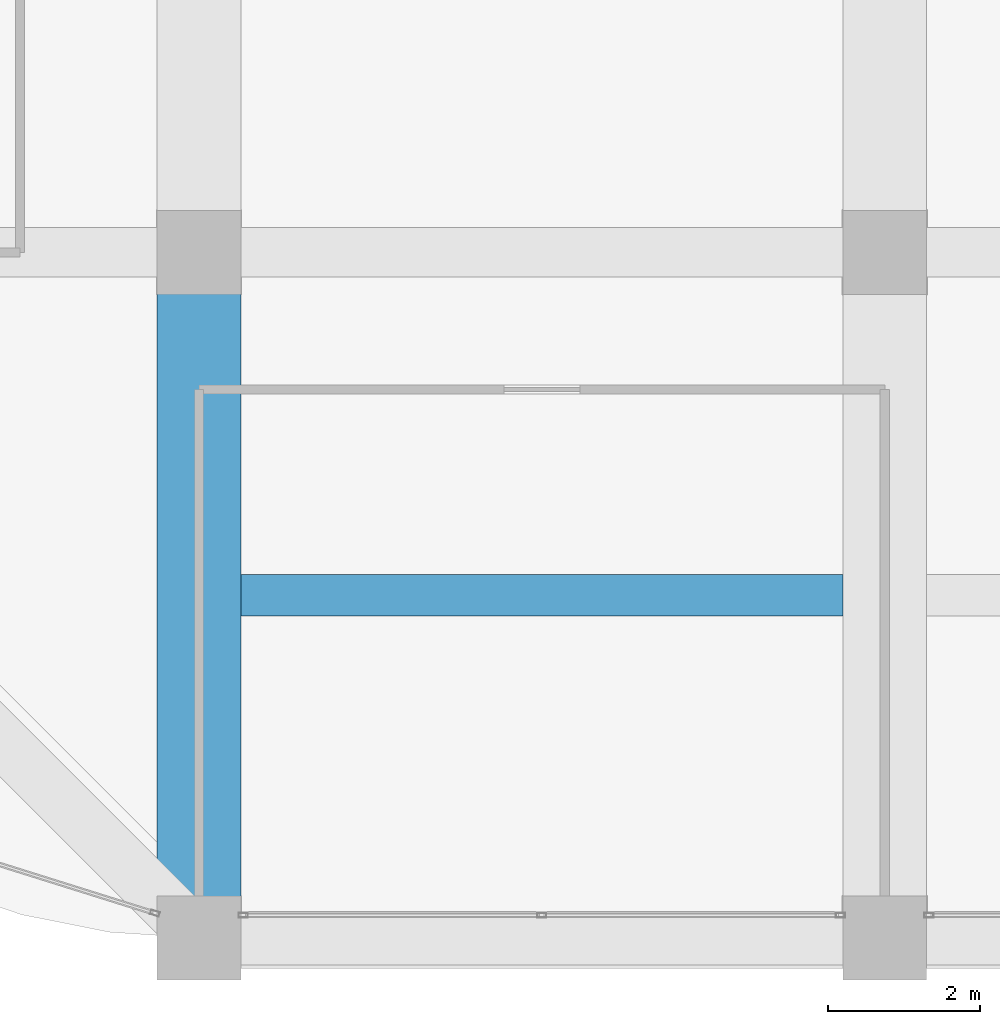
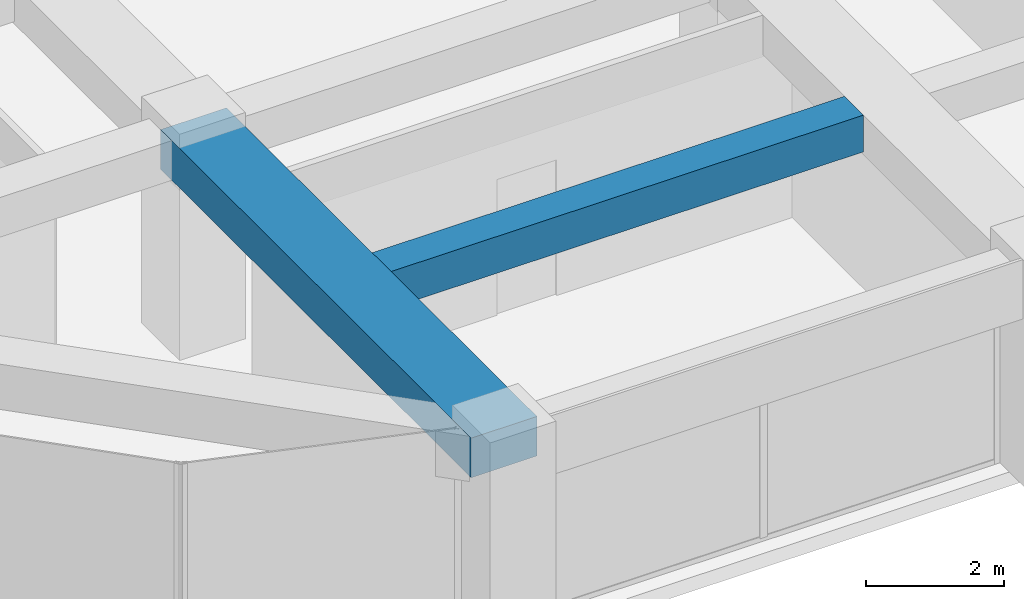
# One storey, part 5 of 44: 2 beams.
"""IFC4 building model written with IfcOpenShell, lengths in metres."""

import ifcopenshell
import ifcopenshell.guid

model = None  # the IFC model being written
_history = None  # IfcOwnerHistory: only IFC2X3 demands one
_inside = {}  # id of a spatial element -> (the spatial element, [elements in it])
_under = {}  # id of a project, library or spatial element -> (it, [spatial elements below it])
_declared = {}  # id of a project -> (the project, [libraries it declares])
_typed = {}  # id of a type object -> (the type object, [elements of that type])
_made_of = {}  # id of a material, layer set ... -> (it, [elements and type objects made of it])


def new_model(schema):
    """Start an empty IFC model of exactly this schema.

    Asked for "IFC4X3", IfcOpenShell would pick the latest addendum, in which some entities
    have other attributes; the version numbers below select the first issue.
    IFC2X3 requires an IfcOwnerHistory on every rooted entity: one is made here for all.
    """
    global model, _history
    if schema == "IFC4X3":
        model = ifcopenshell.file(schema_version=(4, 3, 0, 0))
    else:
        model = ifcopenshell.file(schema=schema)
    _inside.clear()
    _under.clear()
    _declared.clear()
    _typed.clear()
    _made_of.clear()
    _history = None
    if model.schema == "IFC2X3":
        org = make("IfcOrganization", Name="unknown")
        user = make(
            "IfcPersonAndOrganization",
            ThePerson=make("IfcPerson", FamilyName="unknown"),
            TheOrganization=org,
        )
        app = make(
            "IfcApplication",
            ApplicationDeveloper=org,
            Version="unknown",
            ApplicationFullName="unknown",
            ApplicationIdentifier="unknown",
        )
        _history = make(
            "IfcOwnerHistory",
            OwningUser=user,
            OwningApplication=app,
            ChangeAction="ADDED",
            CreationDate=0,
        )
    return model


def make(cls, **values):
    """One entity of the class cls with the attributes given. An attribute that is None is left unset."""
    return model.create_entity(
        cls, **{name: value for name, value in values.items() if value is not None}
    )


def rooted(cls, **values):
    """An entity with a GlobalId (a new one), such as an element, a storey or a relation."""
    return make(cls, GlobalId=ifcopenshell.guid.new(), OwnerHistory=_history, **values)


def si_unit(unit_type, name, prefix=None):
    """IfcSIUnit, for example si_unit("LENGTHUNIT", "METRE", prefix="MILLI")."""
    return make("IfcSIUnit", UnitType=unit_type, Prefix=prefix, Name=name)


def assignment(units):
    """IfcUnitAssignment: the units of a project."""
    return None if units is None else make("IfcUnitAssignment", Units=units)


def point(xyz):
    """IfcCartesianPoint."""
    return None if xyz is None else make("IfcCartesianPoint", Coordinates=xyz)


def direction(xyz):
    """IfcDirection."""
    return None if xyz is None else make("IfcDirection", DirectionRatios=xyz)


def frame(location, z_axis=None, x_axis=None):
    """IfcAxis2Placement3D, a coordinate frame: its origin and axes. An axis left out is left unset."""
    return make(
        "IfcAxis2Placement3D",
        Location=point(location),
        Axis=direction(z_axis),
        RefDirection=direction(x_axis),
    )


def frame_2d(location, x_axis=None):
    """IfcAxis2Placement2D, a coordinate frame in the plane: its origin and x axis."""
    return make(
        "IfcAxis2Placement2D", Location=point(location), RefDirection=direction(x_axis)
    )


def origin():
    """The frame at (0, 0, 0) with its axes left unset."""
    return frame((0.0, 0.0, 0.0))


def origin_2d():
    """The frame at (0, 0) in the plane with its x axis left unset."""
    return frame_2d((0.0, 0.0))


def place(relative_to, where):
    """IfcLocalPlacement: puts the frame where relative to a parent placement (None: the world)."""
    return make(
        "IfcLocalPlacement", PlacementRelTo=relative_to, RelativePlacement=where
    )


def context(
    kind, dimensions, precision=None, world=None, true_north=None, identifier=None
):
    """IfcGeometricRepresentationContext, for example the 3D "Model" context."""
    return make(
        "IfcGeometricRepresentationContext",
        ContextIdentifier=identifier,
        ContextType=kind,
        CoordinateSpaceDimension=dimensions,
        Precision=precision,
        WorldCoordinateSystem=world,
        TrueNorth=true_north,
    )


def subcontext(parent, identifier, kind, view, scale=None):
    """IfcGeometricRepresentationSubContext, for example "Body" below "Model"."""
    return make(
        "IfcGeometricRepresentationSubContext",
        ContextIdentifier=identifier,
        ContextType=kind,
        ParentContext=parent,
        TargetScale=scale,
        TargetView=view,
    )


def project(units=None, contexts=None):
    """IfcProject with its units and contexts."""
    return rooted(
        "IfcProject",
        Name="project",
        RepresentationContexts=contexts,
        UnitsInContext=assignment(units),
    )


def spatial(cls, under=None, at=None, **own):
    """A site, building, storey or space (cls), placed at a placement, below another one or the project."""
    s = rooted(cls, ObjectPlacement=at, **own)
    if under is not None:
        _under.setdefault(under.id(), (under, []))[1].append(s)
    return s


def profile(cls, at=None, kind="AREA", **sizes):
    """A parametric profile (cls). Its sizes go by their IFC names, for example OverallWidth=200.0."""
    return make(cls, ProfileType=kind, Position=at, **sizes)


def rectangle(**sizes):
    """IfcRectangleProfileDef."""
    return profile("IfcRectangleProfileDef", **sizes)


def extrude(swept, where, along, depth):
    """IfcExtrudedAreaSolid: the profile swept, set in the frame where, extruded along a direction by depth."""
    return make(
        "IfcExtrudedAreaSolid",
        SweptArea=swept,
        Position=where,
        ExtrudedDirection=direction(along),
        Depth=depth,
    )


def shape(context_of_items, identifier, shape_type, items):
    """IfcShapeRepresentation: the items that make up one representation, for example the "Body"."""
    return make(
        "IfcShapeRepresentation",
        ContextOfItems=context_of_items,
        RepresentationIdentifier=identifier,
        RepresentationType=shape_type,
        Items=items,
    )


def material(Name=None, Category=None):
    """IfcMaterial."""
    return make("IfcMaterial", Name=Name, Category=Category)


def material_profile(
    of_material, cross_section, Name=None, Category=None, Priority=None
):
    """IfcMaterialProfile: a cross section and its material."""
    return make(
        "IfcMaterialProfile",
        Name=Name,
        Material=of_material,
        Profile=cross_section,
        Priority=Priority,
        Category=Category,
    )


def profile_set(profiles, Name=None, composite=None):
    """IfcMaterialProfileSet."""
    return make(
        "IfcMaterialProfileSet",
        Name=Name,
        MaterialProfiles=profiles,
        CompositeProfile=composite,
    )


def made_of(thing, what):
    """Note that an element or type object is made of a material, layer set ...; save() writes the relation."""
    if what is not None:
        _made_of.setdefault(what.id(), (what, []))[1].append(thing)
    return thing


def type_object(cls, material=None, **own):
    """A type object (cls), such as IfcWallType, which elements share."""
    return made_of(rooted(cls, **own), material)


def element(
    cls,
    number,
    at=None,
    inside=None,
    cuts=None,
    type_object=None,
    material=None,
    context=None,
    identifier="Body",
    shape_type=None,
    held_by="IfcProductDefinitionShape",
    body=None,
    shapes=None,
    **own,
):
    """One element of the class cls, such as IfcWall. Its Tag is "e" and its number.

    at: its placement. inside: the storey or other place that contains it. cuts: it is an
    opening in that element (IfcRelVoidsElement). A single representation is given by context,
    identifier, shape_type and body (its items); several are given by shapes. held_by: the class
    of the entity that holds the representations. save() writes the other relations.
    """
    e = rooted(cls, Tag="e%d" % number, ObjectPlacement=at, **own)
    if body is not None:
        shapes = [shape(context, identifier, shape_type, body)]
    if shapes is not None:
        e.Representation = make(held_by, Representations=shapes)
    if inside is not None:
        _inside.setdefault(inside.id(), (inside, []))[1].append(e)
    if cuts is not None:
        rooted(
            "IfcRelVoidsElement", RelatingBuildingElement=cuts, RelatedOpeningElement=e
        )
    if type_object is not None:
        _typed.setdefault(type_object.id(), (type_object, []))[1].append(e)
    return made_of(e, material)


def aggregate(whole, parts):
    """IfcRelAggregates: a whole, such as a stair, and the parts it consists of."""
    return rooted("IfcRelAggregates", RelatingObject=whole, RelatedObjects=parts)


def save(model, path):
    """Write the relations noted so far, then the file.

    IfcRelAggregates (storeys below a building ...), IfcRelContainedInSpatialStructure (elements
    in a storey), IfcRelDefinesByType, IfcRelAssociatesMaterial and IfcRelDeclares: one each for
    every whole, place, type object, material and project.
    """
    for whole, parts in _under.values():
        aggregate(whole, parts)
    for where, things in _inside.values():
        rooted(
            "IfcRelContainedInSpatialStructure",
            RelatedElements=things,
            RelatingStructure=where,
        )
    for kind, things in _typed.values():
        rooted("IfcRelDefinesByType", RelatedObjects=things, RelatingType=kind)
    for what, things in _made_of.values():
        rooted("IfcRelAssociatesMaterial", RelatedObjects=things, RelatingMaterial=what)
    for by, libraries in _declared.values():
        rooted("IfcRelDeclares", RelatingContext=by, RelatedDefinitions=libraries)
    model.write(path)


model = new_model("IFC4")

# Units and contexts
model_context = context("Model", 3, precision=1e-05, world=origin(), true_north=direction((0.0, 1.0)))
body_context = subcontext(model_context, "Body", "Model", "MODEL_VIEW")
ifc_project = project(units=[si_unit("LENGTHUNIT", "METRE"), si_unit("AREAUNIT", "SQUARE_METRE"), si_unit("VOLUMEUNIT", "CUBIC_METRE"), si_unit("PLANEANGLEUNIT", "RADIAN"), si_unit("MASSUNIT", "GRAM", prefix="KILO")], contexts=[model_context])

# Site, building, storey
site_placement = place(None, origin())
site = spatial("IfcSite", under=ifc_project, at=site_placement, CompositionType="ELEMENT")
building_placement = place(site_placement, origin())
building = spatial("IfcBuilding", under=site, at=building_placement, Name="Zorevar Civic Tower", CompositionType="ELEMENT")
storey_placement = place(building_placement, frame((0.0, 0.0, 271.39990234375)))
storey = spatial("IfcBuildingStorey", under=building, at=storey_placement, Name="L66", CompositionType="ELEMENT", Elevation=271.39990234375)

# Beams
ifc_material_1 = material(Name="Concrete C50/60", Category="concrete")
ifc_material_profile_1 = material_profile(ifc_material_1, rectangle(XDim=1.10009765625, YDim=0.699951171875, at=origin_2d()), Name="RC 1100x700")
ifc_profile_set_1 = profile_set([ifc_material_profile_1], Name="Concrete C50/60")
beam_type_1 = type_object("IfcBeamType", Name="Beam RC 1100x700", PredefinedType="BEAM", material=ifc_profile_set_1)
beam_1_placement = place(storey_placement, frame((18.0, 0.0, 3.400146484375), z_axis=(0.0, 1.0, 0.0), x_axis=(-1.0, 0.0, 0.0)))
element("IfcBeam", 1, at=beam_1_placement, inside=storey, type_object=beam_type_1, Name="Girder L67", PredefinedType="BEAM", context=body_context, shape_type="SweptSolid", body=[
    extrude(rectangle(XDim=1.10009765625, YDim=0.699951171875, at=origin_2d()), origin(), (0.0, 0.0, 1.0), 9.0),
])
ifc_material_2 = material(Name="Concrete C50/60", Category="concrete")
ifc_material_profile_2 = material_profile(ifc_material_2, rectangle(XDim=0.550048828125, YDim=0.64990234375, at=origin_2d()), Name="RC 550x650")
ifc_profile_set_2 = profile_set([ifc_material_profile_2], Name="Concrete C50/60")
beam_type_2 = type_object("IfcBeamType", Name="Beam RC 550x650", PredefinedType="BEAM", material=ifc_profile_set_2)
beam_2_placement = place(storey_placement, frame((18.550048828125, 4.5, 3.425048828125), z_axis=(1.0, 0.0, 0.0), x_axis=(0.0, 1.0, 0.0)))
element("IfcBeam", 2, at=beam_2_placement, inside=storey, type_object=beam_type_2, Name="Secondary beam L67", PredefinedType="BEAM", context=body_context, shape_type="SweptSolid", body=[
    extrude(rectangle(XDim=0.550048828125, YDim=0.64990234375, at=origin_2d()), origin(), (0.0, 0.0, 1.0), 7.89990234375),
])

save(model, "model.ifc")
